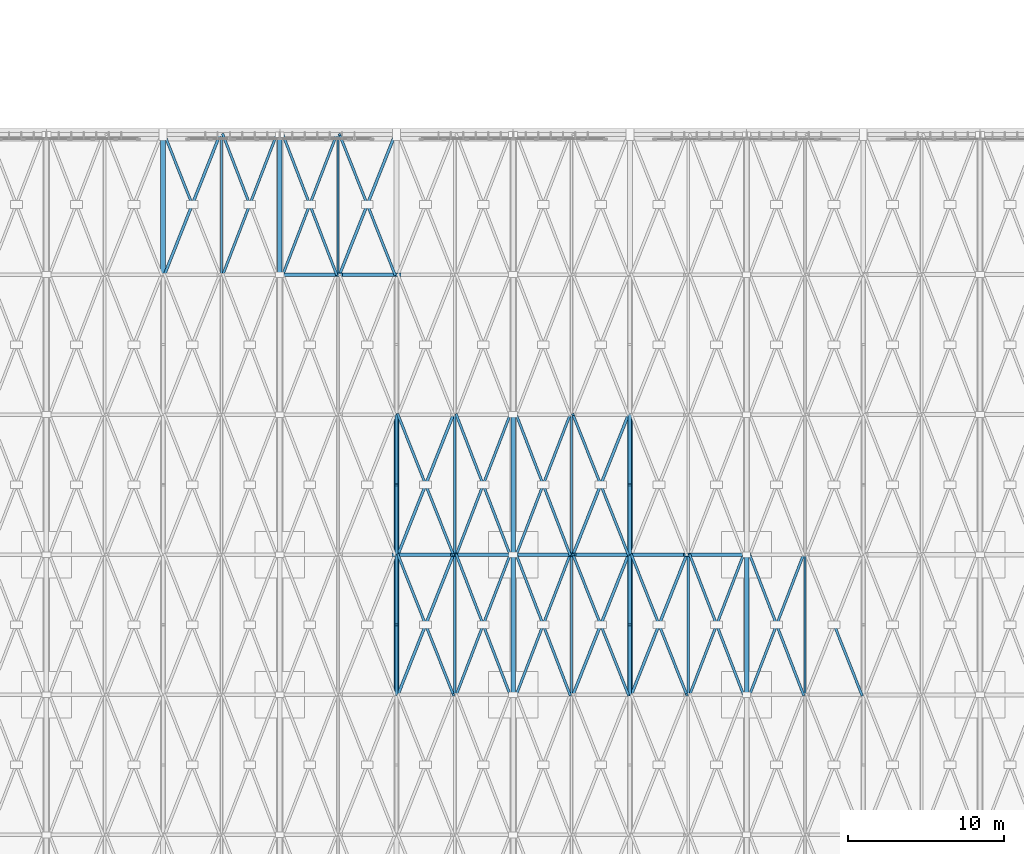
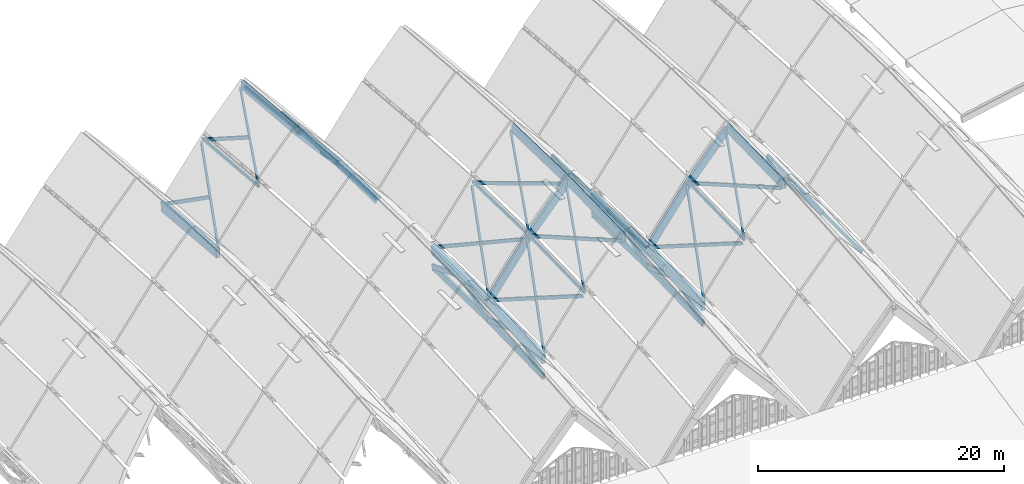
# One storey, part 39 of 93: 64 members, 17 beams.
"""IFC4 building model written with IfcOpenShell, lengths in metres."""

from ifc_helpers import new_model, si_unit, direction, frame, origin, origin_2d, place, context, subcontext, project, spatial, rectangle, extrude, material, material_profile, profile_set, type_object, element, save


model = new_model("IFC4")

# Units and contexts
model_context = context("Model", 3, precision=1e-05, world=origin(), true_north=direction((0.0, 1.0)))
body_context = subcontext(model_context, "Body", "Model", "MODEL_VIEW")
ifc_project = project(units=[si_unit("LENGTHUNIT", "METRE"), si_unit("AREAUNIT", "SQUARE_METRE"), si_unit("VOLUMEUNIT", "CUBIC_METRE"), si_unit("PLANEANGLEUNIT", "RADIAN"), si_unit("MASSUNIT", "GRAM", prefix="KILO")], contexts=[model_context])

# Site, building, storey
site_placement = place(None, origin())
site = spatial("IfcSite", under=ifc_project, at=site_placement, CompositionType="ELEMENT")
building_placement = place(site_placement, origin())
building = spatial("IfcBuilding", under=site, at=building_placement, Name="Vourika Railside Aquatics Centre", CompositionType="ELEMENT")
storey_placement = place(building_placement, frame((0.0, 0.0, 21.89990234375)))
storey = spatial("IfcBuildingStorey", under=building, at=storey_placement, Name="Roof", CompositionType="ELEMENT", Elevation=21.89990234375)

# Beams
ifc_material_1 = material(Name="Glulam GL32h", Category="wood")
ifc_material_profile_1 = material_profile(ifc_material_1, rectangle(XDim=0.239990234375, YDim=0.719970703125, at=origin_2d()), Name="GL32h 240x720")
ifc_profile_set_1 = profile_set([ifc_material_profile_1], Name="Glulam GL32h")
beam_type_1 = type_object("IfcBeamType", Name="BM-GL-ARCH-240x720", PredefinedType="BEAM", material=ifc_profile_set_1)
beam_1_placement = place(storey_placement, frame((88.5, 57.0, -1.5), z_axis=(0.657279819973, 0.0, -0.753646626912), x_axis=(0.0, 1.0, 0.0)))
element("IfcBeam", 1, at=beam_1_placement, inside=storey, type_object=beam_type_1, Name="Pointed Glulam Vault Arch Rib GAR-0125", PredefinedType="BEAM", context=body_context, shape_type="SweptSolid", body=[
    extrude(rectangle(XDim=0.239990234375, YDim=0.719970703125, at=origin_2d()), origin(), (0.0, 0.0, 1.0), 5.705322265625),
])
beam_2_placement = place(storey_placement, frame((92.25, 57.0, -5.7998046875), z_axis=(0.592383087934, 0.0, -0.805656426233), x_axis=(0.0, 1.0, 0.0)))
element("IfcBeam", 2, at=beam_2_placement, inside=storey, type_object=beam_type_1, Name="Pointed Glulam Vault Arch Rib GAR-0126", PredefinedType="BEAM", context=body_context, shape_type="SweptSolid", body=[
    extrude(rectangle(XDim=0.239990234375, YDim=0.719970703125, at=origin_2d()), origin(), (0.0, 0.0, 1.0), 6.330322265625),
])
beam_3_placement = place(storey_placement, frame((96.0, 39.0, -10.099853515625), z_axis=(0.592401494544, 0.0, 0.805642891896), x_axis=(0.0, 1.0, 0.0)))
element("IfcBeam", 3, at=beam_3_placement, inside=storey, type_object=beam_type_1, Name="Pointed Glulam Vault Arch Rib GAR-0149", PredefinedType="BEAM", context=body_context, shape_type="SweptSolid", body=[
    extrude(rectangle(XDim=0.239990234375, YDim=0.719970703125, at=origin_2d()), origin(), (0.0, 0.0, 1.0), 6.330078125),
])
for number, where, z_axis, x_axis, name in (
    (4, (99.75, 39.0, -5.0), (0.657258623263, 0.0, 0.75366511273), (0.0, 1.0, 0.0), "Pointed Glulam Vault Arch Rib GAR-0150"),
    (5, (103.5, 39.0, -0.699951171875), (0.657258623263, 0.0, -0.75366511273), (0.0, 1.0, 0.0), "Pointed Glulam Vault Arch Rib GAR-0151"),
):
    element("IfcBeam", number, at=place(storey_placement, frame(where, z_axis=z_axis, x_axis=x_axis)), inside=storey, type_object=beam_type_1, Name=name, PredefinedType="BEAM", context=body_context, shape_type="SweptSolid", body=[
        extrude(rectangle(XDim=0.239990234375, YDim=0.719970703125, at=origin_2d()), origin(), (0.0, 0.0, 1.0), 5.70556640625),
    ])
for number, where, z_axis, x_axis, name in (
    (6, (107.25, 39.0, -5.0), (0.592401494544, 0.0, -0.805642891896), (0.0, 1.0, 0.0), "Pointed Glulam Vault Arch Rib GAR-0152"),
    (7, (111.0, 39.0, -10.099853515625), (0.592401494544, 0.0, 0.805642891896), (0.0, 1.0, 0.0), "Pointed Glulam Vault Arch Rib GAR-0183"),
):
    element("IfcBeam", number, at=place(storey_placement, frame(where, z_axis=z_axis, x_axis=x_axis)), inside=storey, type_object=beam_type_1, Name=name, PredefinedType="BEAM", context=body_context, shape_type="SweptSolid", body=[
        extrude(rectangle(XDim=0.239990234375, YDim=0.719970703125, at=origin_2d()), origin(), (0.0, 0.0, 1.0), 6.330078125),
    ])
beam_4_placement = place(storey_placement, frame((114.75, 39.0, -5.0), z_axis=(0.657258623263, 0.0, 0.75366511273), x_axis=(0.0, 1.0, 0.0)))
element("IfcBeam", 8, at=beam_4_placement, inside=storey, type_object=beam_type_1, Name="Pointed Glulam Vault Arch Rib GAR-0184", PredefinedType="BEAM", context=body_context, shape_type="SweptSolid", body=[
    extrude(rectangle(XDim=0.239990234375, YDim=0.719970703125, at=origin_2d()), origin(), (0.0, 0.0, 1.0), 5.70556640625),
])
ifc_material_profile_2 = material_profile(ifc_material_1, rectangle(XDim=0.280029296875, YDim=0.800048828125, at=origin_2d()), Name="GL32h 280x800")
ifc_profile_set_2 = profile_set([ifc_material_profile_2], Name="Glulam GL32h")
beam_type_2 = type_object("IfcBeamType", Name="BM-GL-RIDGE-280x800", PredefinedType="BEAM", material=ifc_profile_set_2)
beam_5_placement = place(storey_placement, frame((88.5, 57.0, -1.5), z_axis=(0.0, 0.996074546839, -0.088518343518), x_axis=(-1.0, 0.0, 0.0)))
element("IfcBeam", 9, at=beam_5_placement, inside=storey, type_object=beam_type_2, Name="Vault Pointed Ridge Beam GRB-0136", PredefinedType="BEAM", context=body_context, shape_type="SweptSolid", body=[
    extrude(rectangle(XDim=0.280029296875, YDim=0.800048828125, at=origin_2d()), origin(), (0.0, 0.0, 1.0), 9.035400390625),
])
for number, where, z_axis, x_axis, name in (
    (10, (103.5, 30.0, -0.914306640625), (0.0, 0.999716489335, 0.023810521854), (-1.0, 0.0, 0.0), "Vault Pointed Ridge Beam GRB-0167"),
    (11, (103.5, 39.0, -0.699951171875), (0.0, 0.999716489335, -0.023810521854), (-1.0, 0.0, 0.0), "Vault Pointed Ridge Beam GRB-0168"),
    (12, (118.5, 30.0, -0.914306640625), (0.0, 0.999716489335, 0.023810521854), (-1.0, 0.0, 0.0), "Vault Pointed Ridge Beam GRB-0201"),
):
    element("IfcBeam", number, at=place(storey_placement, frame(where, z_axis=z_axis, x_axis=x_axis)), inside=storey, type_object=beam_type_2, Name=name, PredefinedType="BEAM", context=body_context, shape_type="SweptSolid", body=[
        extrude(rectangle(XDim=0.280029296875, YDim=0.800048828125, at=origin_2d()), origin(), (0.0, 0.0, 1.0), 9.00244140625),
    ])
ifc_material_profile_3 = material_profile(ifc_material_1, rectangle(XDim=0.320068359375, YDim=0.9599609375, at=origin_2d()), Name="GL32h 320x960")
ifc_profile_set_3 = profile_set([ifc_material_profile_3], Name="Glulam GL32h")
beam_type_3 = type_object("IfcBeamType", Name="BM-GL-VAL-320x960", PredefinedType="BEAM", material=ifc_profile_set_3)
beam_6_placement = place(storey_placement, frame((81.0, 57.0, -10.89990234375), z_axis=(0.0, 0.996072164085, -0.088545151956), x_axis=(-1.0, 0.0, 0.0)))
element("IfcBeam", 13, at=beam_6_placement, inside=storey, type_object=beam_type_3, Name="Vault Valley Arch Rib VTR-024", PredefinedType="BEAM", context=body_context, shape_type="SweptSolid", body=[
    extrude(rectangle(XDim=0.320068359375, YDim=0.9599609375, at=origin_2d()), origin(), (0.0, 0.0, 1.0), 9.035400390625),
])
for number, where, z_axis, x_axis, name in (
    (14, (96.0, 30.0, -10.314208984375), (0.0, 0.999716489335, 0.023810521854), (-1.0, 0.0, 0.0), "Vault Valley Arch Rib VTR-027"),
    (15, (96.0, 39.0, -10.099853515625), (0.0, 0.999716489335, -0.023810521854), (-1.0, 0.0, 0.0), "Vault Valley Arch Rib VTR-028"),
    (16, (111.0, 30.0, -10.314208984375), (0.0, 0.999716489335, 0.023810521854), (-1.0, 0.0, 0.0), "Vault Valley Arch Rib VTR-033"),
    (17, (111.0, 39.0, -10.099853515625), (0.0, 0.999716489335, -0.023810521854), (-1.0, 0.0, 0.0), "Vault Valley Arch Rib VTR-034"),
):
    element("IfcBeam", number, at=place(storey_placement, frame(where, z_axis=z_axis, x_axis=x_axis)), inside=storey, type_object=beam_type_3, Name=name, PredefinedType="BEAM", context=body_context, shape_type="SweptSolid", body=[
        extrude(rectangle(XDim=0.320068359375, YDim=0.9599609375, at=origin_2d()), origin(), (0.0, 0.0, 1.0), 9.00244140625),
    ])

# Members
ifc_material_profile_4 = material_profile(ifc_material_1, rectangle(XDim=0.219970703125, YDim=0.60009765625, at=origin_2d()), Name="GL32h 220x600")
ifc_profile_set_4 = profile_set([ifc_material_profile_4], Name="Glulam GL32h")
member_type_1 = type_object("IfcMemberType", Name="MEM-GL-CHORD", PredefinedType="CHORD", material=ifc_profile_set_4)
for number, where, z_axis, x_axis, name in (
    (18, (96.0, 30.0, -12.064208984375), (0.0, 0.999716489335, 0.023810521854), (-1.0, 0.0, 0.0), "Valley Arch Truss Bottom Chord VBC-027"),
    (19, (96.0, 39.0, -11.849853515625), (0.0, 0.999716489335, -0.023810521854), (-1.0, 0.0, 0.0), "Valley Arch Truss Bottom Chord VBC-028"),
    (20, (111.0, 30.0, -12.064208984375), (0.0, 0.999716489335, 0.023810521854), (-1.0, 0.0, 0.0), "Valley Arch Truss Bottom Chord VBC-033"),
    (21, (111.0, 39.0, -11.849853515625), (0.0, 0.999716489335, -0.023810521854), (-1.0, 0.0, 0.0), "Valley Arch Truss Bottom Chord VBC-034"),
):
    element("IfcMember", number, at=place(storey_placement, frame(where, z_axis=z_axis, x_axis=x_axis)), inside=storey, type_object=member_type_1, Name=name, PredefinedType="CHORD", context=body_context, shape_type="SweptSolid", body=[
        extrude(rectangle(XDim=0.219970703125, YDim=0.60009765625, at=origin_2d()), origin(), (0.0, 0.0, 1.0), 9.00244140625),
    ])
ifc_material_2 = material(Name="Glulam GL28h", Category="wood")
ifc_material_profile_5 = material_profile(ifc_material_2, rectangle(XDim=0.179931640625, YDim=0.360107421875, at=origin_2d()), Name="GL28h 180x360")
ifc_profile_set_5 = profile_set([ifc_material_profile_5], Name="Glulam GL28h")
member_type_2 = type_object("IfcMemberType", Name="MEM-GL-LATH1", PredefinedType="BRACE", material=ifc_profile_set_5)
member_1_placement = place(storey_placement, frame((81.094970703125, 57.0, -10.7783203125), z_axis=(0.339219023139, 0.857562067548, 0.386675257346), x_axis=(-0.929892910811, 0.367830360933, 0.0)))
element("IfcMember", 22, at=member_1_placement, inside=storey, type_object=member_type_2, Name="Gridshell Continuous Diagonal Lath GLA-0223", PredefinedType="BRACE", context=body_context, shape_type="SweptSolid", body=[
    extrude(rectangle(XDim=0.179931640625, YDim=0.360107421875, at=origin_2d()), origin(), (0.0, 0.0, 1.0), 10.494873046875),
])
member_2_placement = place(storey_placement, frame((92.344970703125, 57.0, -5.936767578125), z_axis=(0.318017835503, 0.80396444164, -0.502499584956), x_axis=(-0.929892910811, 0.367830360933, 0.0)))
element("IfcMember", 23, at=member_2_placement, inside=storey, type_object=member_type_2, Name="Gridshell Continuous Diagonal Lath GLA-0229", PredefinedType="BRACE", context=body_context, shape_type="SweptSolid", body=[
    extrude(rectangle(XDim=0.179931640625, YDim=0.360107421875, at=origin_2d()), origin(), (0.0, 0.0, 1.0), 11.194580078125),
])
member_3_placement = place(storey_placement, frame((96.094970703125, 30.0, -10.1806640625), z_axis=(0.326087343629, 0.824364547766, 0.462698753739), x_axis=(-0.929892910811, 0.367830360933, 0.0)))
element("IfcMember", 24, at=member_3_placement, inside=storey, type_object=member_type_2, Name="Gridshell Continuous Diagonal Lath GLA-0253", PredefinedType="BRACE", context=body_context, shape_type="SweptSolid", body=[
    extrude(rectangle(XDim=0.179931640625, YDim=0.360107421875, at=origin_2d()), origin(), (0.0, 0.0, 1.0), 10.91748046875),
])
for number, where, z_axis, x_axis, name in (
    (25, (107.344970703125, 30.0, -5.339111328125), (0.331795949467, 0.838796178929, -0.431662389064), (-0.929892910811, 0.367830360933, 0.0), "Gridshell Continuous Diagonal Lath GLA-0259"),
    (26, (96.094970703125, 39.0, -9.970703125), (0.331795949467, 0.838796178929, 0.431662389064), (-0.929892910811, 0.367830360933, 0.0), "Gridshell Continuous Diagonal Lath GLA-0263"),
):
    element("IfcMember", number, at=place(storey_placement, frame(where, z_axis=z_axis, x_axis=x_axis)), inside=storey, type_object=member_type_2, Name=name, PredefinedType="BRACE", context=body_context, shape_type="SweptSolid", body=[
        extrude(rectangle(XDim=0.179931640625, YDim=0.360107421875, at=origin_2d()), origin(), (0.0, 0.0, 1.0), 10.729736328125),
    ])
for number, where, z_axis, x_axis, name in (
    (27, (107.344970703125, 39.0, -5.129150390625), (0.326087343629, 0.824364547766, -0.462698753739), (-0.929892910811, 0.367830360933, 0.0), "Gridshell Continuous Diagonal Lath GLA-0269"),
    (28, (111.094970703125, 30.0, -10.1806640625), (0.326087343629, 0.824364547766, 0.462698753739), (-0.929892910811, 0.367830360933, 0.0), "Gridshell Continuous Diagonal Lath GLA-0313"),
):
    element("IfcMember", number, at=place(storey_placement, frame(where, z_axis=z_axis, x_axis=x_axis)), inside=storey, type_object=member_type_2, Name=name, PredefinedType="BRACE", context=body_context, shape_type="SweptSolid", body=[
        extrude(rectangle(XDim=0.179931640625, YDim=0.360107421875, at=origin_2d()), origin(), (0.0, 0.0, 1.0), 10.91748046875),
    ])
ifc_material_profile_6 = material_profile(ifc_material_2, rectangle(XDim=0.159912109375, YDim=0.320068359375, at=origin_2d()), Name="GL28h 160x320")
ifc_profile_set_6 = profile_set([ifc_material_profile_6], Name="Glulam GL28h")
member_type_3 = type_object("IfcMemberType", Name="MEM-GL-LATH2", PredefinedType="BRACE", material=ifc_profile_set_6)
member_4_placement = place(storey_placement, frame((82.875, 61.5, -8.74951171875), z_axis=(-0.318021320636, 0.803973252223, -0.502483282639), x_axis=(-0.929892910811, -0.367830360933, 0.0)))
element("IfcMember", 29, at=member_4_placement, inside=storey, type_object=member_type_3, Name="Gridshell Split Counter Lath GLB2-0224", PredefinedType="BRACE", context=body_context, shape_type="SweptSolid", body=[
    extrude(rectangle(XDim=0.159912109375, YDim=0.320068359375, at=origin_2d()), origin(), (0.0, 0.0, 1.0), 5.59716796875),
])
member_5_placement = place(storey_placement, frame((84.844970703125, 57.0, -5.698486328125), z_axis=(0.340377647674, 0.886636631138, 0.313079129436), x_axis=(-0.933569951957, 0.358395235463, 0.0)))
element("IfcMember", 30, at=member_5_placement, inside=storey, type_object=member_type_3, Name="Gridshell Continuous Diagonal Lath GLA-0225", PredefinedType="BRACE", context=body_context, shape_type="SweptSolid", body=[
    extrude(rectangle(XDim=0.159912109375, YDim=0.320068359375, at=origin_2d()), origin(), (0.0, 0.0, 1.0), 10.150634765625),
])
member_6_placement = place(storey_placement, frame((86.572509765625, 61.5, -4.109619140625), z_axis=(-0.321554017818, 0.837603682367, -0.441614181057), x_axis=(-0.933569951957, -0.358395235463, 0.0)))
element("IfcMember", 31, at=member_6_placement, inside=storey, type_object=member_type_3, Name="Gridshell Split Counter Lath GLB2-0226", PredefinedType="BRACE", context=body_context, shape_type="SweptSolid", body=[
    extrude(rectangle(XDim=0.159912109375, YDim=0.320068359375, at=origin_2d()), origin(), (0.0, 0.0, 1.0), 5.37255859375),
])
member_7_placement = place(storey_placement, frame((88.699951171875, 57.0, -1.73681640625), z_axis=(0.321550791273, 0.837595277664, -0.441632471028), x_axis=(-0.933569951957, 0.358395235463, 0.0)))
element("IfcMember", 32, at=member_7_placement, inside=storey, type_object=member_type_3, Name="Gridshell Continuous Diagonal Lath GLA-0227", PredefinedType="BRACE", context=body_context, shape_type="SweptSolid", body=[
    extrude(rectangle(XDim=0.159912109375, YDim=0.320068359375, at=origin_2d()), origin(), (0.0, 0.0, 1.0), 10.7451171875),
])
for number, where, z_axis, x_axis, name in (
    (33, (92.155029296875, 57.0, -5.698486328125), (-0.340380210662, 0.886643307367, 0.313057435131), (-0.933569951957, -0.358395235463, 0.0), "Gridshell Split Counter Lath GLB1-0228"),
    (34, (90.427490234375, 61.5, -4.109619140625), (-0.340375084547, 0.886629954547, 0.31310082325), (-0.933569951957, -0.358395235463, 0.0), "Gridshell Split Counter Lath GLB2-0228"),
):
    element("IfcMember", number, at=place(storey_placement, frame(where, z_axis=z_axis, x_axis=x_axis)), inside=storey, type_object=member_type_3, Name=name, PredefinedType="BRACE", context=body_context, shape_type="SweptSolid", body=[
        extrude(rectangle(XDim=0.159912109375, YDim=0.320068359375, at=origin_2d()), origin(), (0.0, 0.0, 1.0), 5.075439453125),
    ])
member_8_placement = place(storey_placement, frame((95.905029296875, 57.0, -10.7783203125), z_axis=(-0.339225125603, 0.857577494874, 0.386635686979), x_axis=(-0.929892910811, -0.367830360933, 0.0)))
element("IfcMember", 35, at=member_8_placement, inside=storey, type_object=member_type_3, Name="Gridshell Split Counter Lath GLB1-0230", PredefinedType="BRACE", context=body_context, shape_type="SweptSolid", body=[
    extrude(rectangle(XDim=0.159912109375, YDim=0.320068359375, at=origin_2d()), origin(), (0.0, 0.0, 1.0), 5.247314453125),
])
member_9_placement = place(storey_placement, frame((94.125, 61.5, -8.74951171875), z_axis=(-0.339212920269, 0.857546639199, 0.386714825576), x_axis=(-0.929892910811, -0.367830360933, 0.0)))
element("IfcMember", 36, at=member_9_placement, inside=storey, type_object=member_type_3, Name="Gridshell Split Counter Lath GLB2-0230", PredefinedType="BRACE", context=body_context, shape_type="SweptSolid", body=[
    extrude(rectangle(XDim=0.159912109375, YDim=0.320068359375, at=origin_2d()), origin(), (0.0, 0.0, 1.0), 5.24755859375),
])
member_10_placement = place(storey_placement, frame((99.655029296875, 30.0, -5.339111328125), z_axis=(-0.331799208316, 0.838804417456, -0.43164387476), x_axis=(-0.929892910811, -0.367830360933, 0.0)))
element("IfcMember", 37, at=member_10_placement, inside=storey, type_object=member_type_3, Name="Gridshell Split Counter Lath GLB1-0254", PredefinedType="BRACE", context=body_context, shape_type="SweptSolid", body=[
    extrude(rectangle(XDim=0.159912109375, YDim=0.320068359375, at=origin_2d()), origin(), (0.0, 0.0, 1.0), 5.36474609375),
])
member_11_placement = place(storey_placement, frame((97.875, 34.5, -7.65478515625), z_axis=(-0.331792690542, 0.83878794021, -0.431680902823), x_axis=(-0.929892910811, -0.367830360933, 0.0)))
element("IfcMember", 38, at=member_11_placement, inside=storey, type_object=member_type_3, Name="Gridshell Split Counter Lath GLB2-0254", PredefinedType="BRACE", context=body_context, shape_type="SweptSolid", body=[
    extrude(rectangle(XDim=0.159912109375, YDim=0.320068359375, at=origin_2d()), origin(), (0.0, 0.0, 1.0), 5.364990234375),
])
member_12_placement = place(storey_placement, frame((99.844970703125, 30.0, -5.100830078125), z_axis=(0.32892073085, 0.856792949552, 0.397135989827), x_axis=(-0.933569951957, 0.358395235463, 0.0)))
element("IfcMember", 39, at=member_12_placement, inside=storey, type_object=member_type_3, Name="Gridshell Continuous Diagonal Lath GLA-0255", PredefinedType="BRACE", context=body_context, shape_type="SweptSolid", body=[
    extrude(rectangle(XDim=0.159912109375, YDim=0.320068359375, at=origin_2d()), origin(), (0.0, 0.0, 1.0), 10.50439453125),
])
for number, where, z_axis, x_axis, name in (
    (40, (103.300048828125, 30.0, -1.13916015625), (-0.333992041249, 0.870003010782, -0.362690057229), (-0.933569951957, -0.358395235463, 0.0), "Gridshell Split Counter Lath GLB1-0256"),
    (41, (101.572509765625, 34.5, -3.01513671875), (-0.333992041249, 0.870003010782, -0.362690057229), (-0.933569951957, -0.358395235463, 0.0), "Gridshell Split Counter Lath GLB2-0256"),
):
    element("IfcMember", number, at=place(storey_placement, frame(where, z_axis=z_axis, x_axis=x_axis)), inside=storey, type_object=member_type_3, Name=name, PredefinedType="BRACE", context=body_context, shape_type="SweptSolid", body=[
        extrude(rectangle(XDim=0.159912109375, YDim=0.320068359375, at=origin_2d()), origin(), (0.0, 0.0, 1.0), 5.17236328125),
    ])
member_13_placement = place(storey_placement, frame((103.699951171875, 30.0, -1.13916015625), z_axis=(0.333992041249, 0.870003010782, -0.362690057229), x_axis=(-0.933569951957, 0.358395235463, 0.0)))
element("IfcMember", 42, at=member_13_placement, inside=storey, type_object=member_type_3, Name="Gridshell Continuous Diagonal Lath GLA-0257", PredefinedType="BRACE", context=body_context, shape_type="SweptSolid", body=[
    extrude(rectangle(XDim=0.159912109375, YDim=0.320068359375, at=origin_2d()), origin(), (0.0, 0.0, 1.0), 10.3447265625),
])
for number, where, z_axis, x_axis, name in (
    (43, (107.155029296875, 30.0, -5.100830078125), (-0.328923766818, 0.856800857828, 0.397116413218), (-0.933569951957, -0.358395235463, 0.0), "Gridshell Split Counter Lath GLB1-0258"),
    (44, (105.427490234375, 34.5, -3.01513671875), (-0.328917694788, 0.856785041031, 0.397155565895), (-0.933569951957, -0.358395235463, 0.0), "Gridshell Split Counter Lath GLB2-0258"),
):
    element("IfcMember", number, at=place(storey_placement, frame(where, z_axis=z_axis, x_axis=x_axis)), inside=storey, type_object=member_type_3, Name=name, PredefinedType="BRACE", context=body_context, shape_type="SweptSolid", body=[
        extrude(rectangle(XDim=0.159912109375, YDim=0.320068359375, at=origin_2d()), origin(), (0.0, 0.0, 1.0), 5.252197265625),
    ])
for number, where, z_axis, x_axis, name in (
    (45, (110.905029296875, 30.0, -10.1806640625), (-0.326083969568, 0.824356017978, 0.462716328234), (-0.929892910811, -0.367830360933, 0.0), "Gridshell Split Counter Lath GLB1-0260"),
    (46, (109.125, 34.5, -7.65478515625), (-0.326090717631, 0.824373077407, 0.462681178699), (-0.929892910811, -0.367830360933, 0.0), "Gridshell Split Counter Lath GLB2-0260"),
    (47, (99.655029296875, 39.0, -5.129150390625), (-0.326090717631, 0.824373077407, -0.462681178699), (-0.929892910811, -0.367830360933, 0.0), "Gridshell Split Counter Lath GLB1-0264"),
    (48, (97.875, 43.5, -7.65478515625), (-0.326083969568, 0.824356017978, -0.462716328234), (-0.929892910811, -0.367830360933, 0.0), "Gridshell Split Counter Lath GLB2-0264"),
):
    element("IfcMember", number, at=place(storey_placement, frame(where, z_axis=z_axis, x_axis=x_axis)), inside=storey, type_object=member_type_3, Name=name, PredefinedType="BRACE", context=body_context, shape_type="SweptSolid", body=[
        extrude(rectangle(XDim=0.159912109375, YDim=0.320068359375, at=origin_2d()), origin(), (0.0, 0.0, 1.0), 5.458740234375),
    ])
member_14_placement = place(storey_placement, frame((99.844970703125, 39.0, -4.89111328125), z_axis=(0.333992041249, 0.870003010782, 0.362690057229), x_axis=(-0.933569951957, 0.358395235463, 0.0)))
element("IfcMember", 49, at=member_14_placement, inside=storey, type_object=member_type_3, Name="Gridshell Continuous Diagonal Lath GLA-0265", PredefinedType="BRACE", context=body_context, shape_type="SweptSolid", body=[
    extrude(rectangle(XDim=0.159912109375, YDim=0.320068359375, at=origin_2d()), origin(), (0.0, 0.0, 1.0), 10.3447265625),
])
for number, where, z_axis, x_axis, name in (
    (50, (103.300048828125, 39.0, -0.92919921875), (-0.328917694788, 0.856785041031, -0.397155565895), (-0.933569951957, -0.358395235463, 0.0), "Gridshell Split Counter Lath GLB1-0266"),
    (51, (101.572509765625, 43.5, -3.01513671875), (-0.328923766818, 0.856800857828, -0.397116413218), (-0.933569951957, -0.358395235463, 0.0), "Gridshell Split Counter Lath GLB2-0266"),
):
    element("IfcMember", number, at=place(storey_placement, frame(where, z_axis=z_axis, x_axis=x_axis)), inside=storey, type_object=member_type_3, Name=name, PredefinedType="BRACE", context=body_context, shape_type="SweptSolid", body=[
        extrude(rectangle(XDim=0.159912109375, YDim=0.320068359375, at=origin_2d()), origin(), (0.0, 0.0, 1.0), 5.252197265625),
    ])
member_15_placement = place(storey_placement, frame((103.699951171875, 39.0, -0.92919921875), z_axis=(0.32892073085, 0.856792949552, -0.397135989827), x_axis=(-0.933569951957, 0.358395235463, 0.0)))
element("IfcMember", 52, at=member_15_placement, inside=storey, type_object=member_type_3, Name="Gridshell Continuous Diagonal Lath GLA-0267", PredefinedType="BRACE", context=body_context, shape_type="SweptSolid", body=[
    extrude(rectangle(XDim=0.159912109375, YDim=0.320068359375, at=origin_2d()), origin(), (0.0, 0.0, 1.0), 10.50439453125),
])
for number, where, z_axis, x_axis, name in (
    (53, (107.155029296875, 39.0, -4.89111328125), (-0.333992041249, 0.870003010782, 0.362690057229), (-0.933569951957, -0.358395235463, 0.0), "Gridshell Split Counter Lath GLB1-0268"),
    (54, (105.427490234375, 43.5, -3.01513671875), (-0.333992041249, 0.870003010782, 0.362690057229), (-0.933569951957, -0.358395235463, 0.0), "Gridshell Split Counter Lath GLB2-0268"),
):
    element("IfcMember", number, at=place(storey_placement, frame(where, z_axis=z_axis, x_axis=x_axis)), inside=storey, type_object=member_type_3, Name=name, PredefinedType="BRACE", context=body_context, shape_type="SweptSolid", body=[
        extrude(rectangle(XDim=0.159912109375, YDim=0.320068359375, at=origin_2d()), origin(), (0.0, 0.0, 1.0), 5.17236328125),
    ])
member_16_placement = place(storey_placement, frame((110.905029296875, 39.0, -9.970703125), z_axis=(-0.331792690542, 0.83878794021, 0.431680902823), x_axis=(-0.929892910811, -0.367830360933, 0.0)))
element("IfcMember", 55, at=member_16_placement, inside=storey, type_object=member_type_3, Name="Gridshell Split Counter Lath GLB1-0270", PredefinedType="BRACE", context=body_context, shape_type="SweptSolid", body=[
    extrude(rectangle(XDim=0.159912109375, YDim=0.320068359375, at=origin_2d()), origin(), (0.0, 0.0, 1.0), 5.364990234375),
])
for number, where, z_axis, x_axis, name in (
    (56, (109.125, 43.5, -7.65478515625), (-0.331799208316, 0.838804417456, 0.43164387476), (-0.929892910811, -0.367830360933, 0.0), "Gridshell Split Counter Lath GLB2-0270"),
    (57, (114.655029296875, 30.0, -5.339111328125), (-0.331799208316, 0.838804417456, -0.43164387476), (-0.929892910811, -0.367830360933, 0.0), "Gridshell Split Counter Lath GLB1-0314"),
):
    element("IfcMember", number, at=place(storey_placement, frame(where, z_axis=z_axis, x_axis=x_axis)), inside=storey, type_object=member_type_3, Name=name, PredefinedType="BRACE", context=body_context, shape_type="SweptSolid", body=[
        extrude(rectangle(XDim=0.159912109375, YDim=0.320068359375, at=origin_2d()), origin(), (0.0, 0.0, 1.0), 5.36474609375),
    ])
member_17_placement = place(storey_placement, frame((112.875, 34.5, -7.65478515625), z_axis=(-0.331792690542, 0.83878794021, -0.431680902823), x_axis=(-0.929892910811, -0.367830360933, 0.0)))
element("IfcMember", 58, at=member_17_placement, inside=storey, type_object=member_type_3, Name="Gridshell Split Counter Lath GLB2-0314", PredefinedType="BRACE", context=body_context, shape_type="SweptSolid", body=[
    extrude(rectangle(XDim=0.159912109375, YDim=0.320068359375, at=origin_2d()), origin(), (0.0, 0.0, 1.0), 5.364990234375),
])
member_18_placement = place(storey_placement, frame((114.844970703125, 30.0, -5.100830078125), z_axis=(0.32892073085, 0.856792949552, 0.397135989827), x_axis=(-0.933569951957, 0.358395235463, 0.0)))
element("IfcMember", 59, at=member_18_placement, inside=storey, type_object=member_type_3, Name="Gridshell Continuous Diagonal Lath GLA-0315", PredefinedType="BRACE", context=body_context, shape_type="SweptSolid", body=[
    extrude(rectangle(XDim=0.159912109375, YDim=0.320068359375, at=origin_2d()), origin(), (0.0, 0.0, 1.0), 10.50439453125),
])
for number, where, z_axis, x_axis, name in (
    (60, (118.300048828125, 30.0, -1.13916015625), (-0.333992041249, 0.870003010782, -0.362690057229), (-0.933569951957, -0.358395235463, 0.0), "Gridshell Split Counter Lath GLB1-0316"),
    (61, (116.572509765625, 34.5, -3.01513671875), (-0.333992041249, 0.870003010782, -0.362690057229), (-0.933569951957, -0.358395235463, 0.0), "Gridshell Split Counter Lath GLB2-0316"),
):
    element("IfcMember", number, at=place(storey_placement, frame(where, z_axis=z_axis, x_axis=x_axis)), inside=storey, type_object=member_type_3, Name=name, PredefinedType="BRACE", context=body_context, shape_type="SweptSolid", body=[
        extrude(rectangle(XDim=0.159912109375, YDim=0.320068359375, at=origin_2d()), origin(), (0.0, 0.0, 1.0), 5.17236328125),
    ])
member_19_placement = place(storey_placement, frame((118.699951171875, 30.0, -1.13916015625), z_axis=(0.333992041249, 0.870003010782, -0.362690057229), x_axis=(-0.933569951957, 0.358395235463, 0.0)))
element("IfcMember", 62, at=member_19_placement, inside=storey, type_object=member_type_3, Name="Gridshell Continuous Diagonal Lath GLA-0317", PredefinedType="BRACE", context=body_context, shape_type="SweptSolid", body=[
    extrude(rectangle(XDim=0.159912109375, YDim=0.320068359375, at=origin_2d()), origin(), (0.0, 0.0, 1.0), 10.3447265625),
])
for number, where, z_axis, x_axis, name in (
    (63, (122.155029296875, 30.0, -5.100830078125), (-0.328923766818, 0.856800857828, 0.397116413218), (-0.933569951957, -0.358395235463, 0.0), "Gridshell Split Counter Lath GLB1-0318"),
    (64, (120.427490234375, 34.5, -3.01513671875), (-0.328917694788, 0.856785041031, 0.397155565895), (-0.933569951957, -0.358395235463, 0.0), "Gridshell Split Counter Lath GLB2-0318"),
):
    element("IfcMember", number, at=place(storey_placement, frame(where, z_axis=z_axis, x_axis=x_axis)), inside=storey, type_object=member_type_3, Name=name, PredefinedType="BRACE", context=body_context, shape_type="SweptSolid", body=[
        extrude(rectangle(XDim=0.159912109375, YDim=0.320068359375, at=origin_2d()), origin(), (0.0, 0.0, 1.0), 5.252197265625),
    ])
member_20_placement = place(storey_placement, frame((125.905029296875, 30.0, -10.1806640625), z_axis=(-0.326083969568, 0.824356017978, 0.462716328234), x_axis=(-0.929892910811, -0.367830360933, 0.0)))
element("IfcMember", 65, at=member_20_placement, inside=storey, type_object=member_type_3, Name="Gridshell Split Counter Lath GLB1-0320", PredefinedType="BRACE", context=body_context, shape_type="SweptSolid", body=[
    extrude(rectangle(XDim=0.159912109375, YDim=0.320068359375, at=origin_2d()), origin(), (0.0, 0.0, 1.0), 5.458740234375),
])
ifc_material_profile_7 = material_profile(ifc_material_2, rectangle(XDim=0.139892578125, YDim=0.280029296875, at=origin_2d()), Name="GL28h 140x280")
ifc_profile_set_7 = profile_set([ifc_material_profile_7], Name="Glulam GL28h")
member_type_4 = type_object("IfcMemberType", Name="MEM-GL-PURLIN", PredefinedType="PURLIN", material=ifc_profile_set_7)
for number, where, z_axis, x_axis, name in (
    (66, (84.75, 57.0, -5.52978515625), (0.0, 0.996072164085, -0.088545151956), (-1.0, 0.0, 0.0), "Vault Timber Purlin GTP-0221"),
    (67, (92.25, 57.0, -5.52978515625), (0.0, 0.996072164085, -0.088545151956), (-1.0, 0.0, 0.0), "Vault Timber Purlin GTP-0222"),
):
    element("IfcMember", number, at=place(storey_placement, frame(where, z_axis=z_axis, x_axis=x_axis)), inside=storey, type_object=member_type_4, Name=name, PredefinedType="PURLIN", context=body_context, shape_type="SweptSolid", body=[
        extrude(rectangle(XDim=0.139892578125, YDim=0.280029296875, at=origin_2d()), origin(), (0.0, 0.0, 1.0), 9.035400390625),
    ])
for number, where, z_axis, x_axis, name in (
    (68, (99.75, 30.0, -4.9443359375), (0.0, 0.999716489335, 0.023810521854), (-1.0, 0.0, 0.0), "Vault Timber Purlin GTP-0251"),
    (69, (107.25, 30.0, -4.9443359375), (0.0, 0.999716489335, 0.023810521854), (-1.0, 0.0, 0.0), "Vault Timber Purlin GTP-0252"),
    (70, (99.75, 39.0, -4.72998046875), (0.0, 0.999716489335, -0.023810521854), (-1.0, 0.0, 0.0), "Vault Timber Purlin GTP-0261"),
    (71, (107.25, 39.0, -4.72998046875), (0.0, 0.999716489335, -0.023810521854), (-1.0, 0.0, 0.0), "Vault Timber Purlin GTP-0262"),
    (72, (114.75, 30.0, -4.9443359375), (0.0, 0.999716489335, 0.023810521854), (-1.0, 0.0, 0.0), "Vault Timber Purlin GTP-0311"),
    (73, (122.25, 30.0, -4.9443359375), (0.0, 0.999716489335, 0.023810521854), (-1.0, 0.0, 0.0), "Vault Timber Purlin GTP-0312"),
):
    element("IfcMember", number, at=place(storey_placement, frame(where, z_axis=z_axis, x_axis=x_axis)), inside=storey, type_object=member_type_4, Name=name, PredefinedType="PURLIN", context=body_context, shape_type="SweptSolid", body=[
        extrude(rectangle(XDim=0.139892578125, YDim=0.280029296875, at=origin_2d()), origin(), (0.0, 0.0, 1.0), 9.00244140625),
    ])
ifc_material_profile_8 = material_profile(ifc_material_2, rectangle(XDim=0.219970703125, YDim=0.43994140625, at=origin_2d()), Name="GL28h 220x440")
ifc_profile_set_8 = profile_set([ifc_material_profile_8], Name="Glulam GL28h")
member_type_5 = type_object("IfcMemberType", Name="MEM-GL-STRUT2", PredefinedType="STRUT", material=ifc_profile_set_8)
member_21_placement = place(storey_placement, frame((96.0, 30.0, -12.064208984375), z_axis=(0.0, 0.924371407103, 0.381493776792), x_axis=(-1.0, 0.0, 0.0)))
element("IfcMember", 74, at=member_21_placement, inside=storey, type_object=member_type_5, Name="Valley Truss Web Strut VWA-027", PredefinedType="STRUT", context=body_context, shape_type="SweptSolid", body=[
    extrude(rectangle(XDim=0.219970703125, YDim=0.43994140625, at=origin_2d()), origin(), (0.0, 0.0, 1.0), 4.8681640625),
])
for number, where, z_axis, x_axis, name in (
    (75, (96.0, 34.5, -10.20703125), (0.0, 0.939359665163, -0.342933549635), (-1.0, 0.0, 0.0), "Valley Truss Web Strut VWB-027"),
    (76, (96.0, 39.0, -11.849853515625), (0.0, 0.939359665163, 0.342933549635), (-1.0, 0.0, 0.0), "Valley Truss Web Strut VWA-028"),
):
    element("IfcMember", number, at=place(storey_placement, frame(where, z_axis=z_axis, x_axis=x_axis)), inside=storey, type_object=member_type_5, Name=name, PredefinedType="STRUT", context=body_context, shape_type="SweptSolid", body=[
        extrude(rectangle(XDim=0.219970703125, YDim=0.43994140625, at=origin_2d()), origin(), (0.0, 0.0, 1.0), 4.79052734375),
    ])
for number, where, z_axis, x_axis, name in (
    (77, (96.0, 43.5, -10.20703125), (0.0, 0.924371407103, -0.381493776792), (-1.0, 0.0, 0.0), "Valley Truss Web Strut VWB-028"),
    (78, (111.0, 30.0, -12.064208984375), (0.0, 0.924371407103, 0.381493776792), (-1.0, 0.0, 0.0), "Valley Truss Web Strut VWA-033"),
):
    element("IfcMember", number, at=place(storey_placement, frame(where, z_axis=z_axis, x_axis=x_axis)), inside=storey, type_object=member_type_5, Name=name, PredefinedType="STRUT", context=body_context, shape_type="SweptSolid", body=[
        extrude(rectangle(XDim=0.219970703125, YDim=0.43994140625, at=origin_2d()), origin(), (0.0, 0.0, 1.0), 4.8681640625),
    ])
for number, where, z_axis, x_axis, name in (
    (79, (111.0, 34.5, -10.20703125), (0.0, 0.939359665163, -0.342933549635), (-1.0, 0.0, 0.0), "Valley Truss Web Strut VWB-033"),
    (80, (111.0, 39.0, -11.849853515625), (0.0, 0.939359665163, 0.342933549635), (-1.0, 0.0, 0.0), "Valley Truss Web Strut VWA-034"),
):
    element("IfcMember", number, at=place(storey_placement, frame(where, z_axis=z_axis, x_axis=x_axis)), inside=storey, type_object=member_type_5, Name=name, PredefinedType="STRUT", context=body_context, shape_type="SweptSolid", body=[
        extrude(rectangle(XDim=0.219970703125, YDim=0.43994140625, at=origin_2d()), origin(), (0.0, 0.0, 1.0), 4.79052734375),
    ])
member_22_placement = place(storey_placement, frame((111.0, 43.5, -10.20703125), z_axis=(0.0, 0.924371407103, -0.381493776792), x_axis=(-1.0, 0.0, 0.0)))
element("IfcMember", 81, at=member_22_placement, inside=storey, type_object=member_type_5, Name="Valley Truss Web Strut VWB-034", PredefinedType="STRUT", context=body_context, shape_type="SweptSolid", body=[
    extrude(rectangle(XDim=0.219970703125, YDim=0.43994140625, at=origin_2d()), origin(), (0.0, 0.0, 1.0), 4.8681640625),
])

save(model, "model.ifc")
